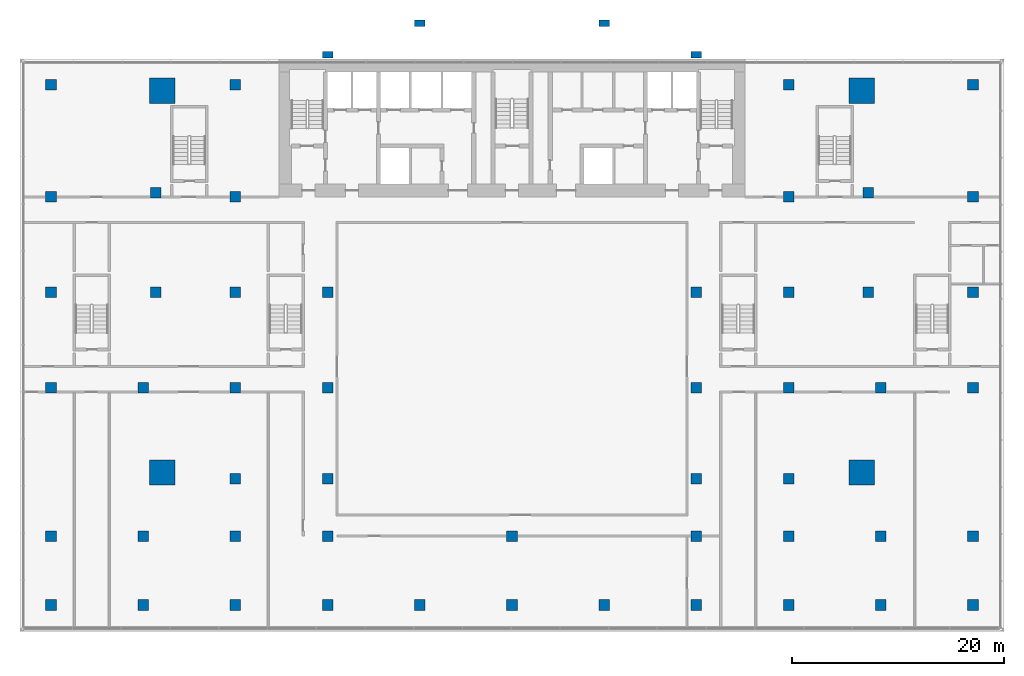
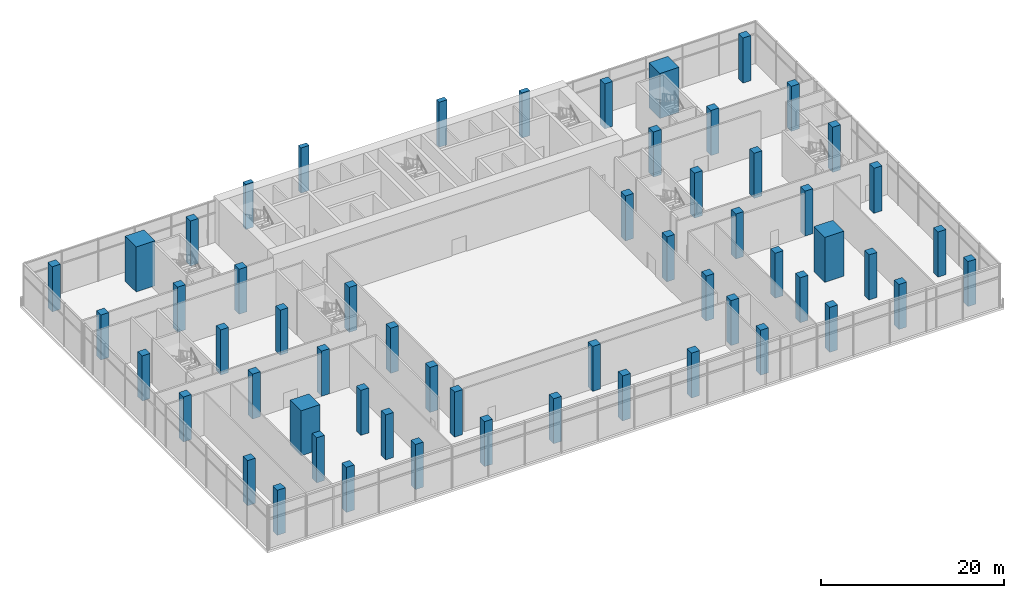
# One storey, part 1 of 21: 58 columns.
"""IFC4 building model written with IfcOpenShell, lengths in metres."""

import ifcopenshell
import ifcopenshell.guid

model = None  # the IFC model being written
_history = None  # IfcOwnerHistory: only IFC2X3 demands one
_inside = {}  # id of a spatial element -> (the spatial element, [elements in it])
_under = {}  # id of a project, library or spatial element -> (it, [spatial elements below it])
_declared = {}  # id of a project -> (the project, [libraries it declares])
_typed = {}  # id of a type object -> (the type object, [elements of that type])
_made_of = {}  # id of a material, layer set ... -> (it, [elements and type objects made of it])


def new_model(schema):
    """Start an empty IFC model of exactly this schema.

    Asked for "IFC4X3", IfcOpenShell would pick the latest addendum, in which some entities
    have other attributes; the version numbers below select the first issue.
    IFC2X3 requires an IfcOwnerHistory on every rooted entity: one is made here for all.
    """
    global model, _history
    if schema == "IFC4X3":
        model = ifcopenshell.file(schema_version=(4, 3, 0, 0))
    else:
        model = ifcopenshell.file(schema=schema)
    _inside.clear()
    _under.clear()
    _declared.clear()
    _typed.clear()
    _made_of.clear()
    _history = None
    if model.schema == "IFC2X3":
        org = make("IfcOrganization", Name="unknown")
        user = make(
            "IfcPersonAndOrganization",
            ThePerson=make("IfcPerson", FamilyName="unknown"),
            TheOrganization=org,
        )
        app = make(
            "IfcApplication",
            ApplicationDeveloper=org,
            Version="unknown",
            ApplicationFullName="unknown",
            ApplicationIdentifier="unknown",
        )
        _history = make(
            "IfcOwnerHistory",
            OwningUser=user,
            OwningApplication=app,
            ChangeAction="ADDED",
            CreationDate=0,
        )
    return model


def make(cls, **values):
    """One entity of the class cls with the attributes given. An attribute that is None is left unset."""
    return model.create_entity(
        cls, **{name: value for name, value in values.items() if value is not None}
    )


def rooted(cls, **values):
    """An entity with a GlobalId (a new one), such as an element, a storey or a relation."""
    return make(cls, GlobalId=ifcopenshell.guid.new(), OwnerHistory=_history, **values)


def si_unit(unit_type, name, prefix=None):
    """IfcSIUnit, for example si_unit("LENGTHUNIT", "METRE", prefix="MILLI")."""
    return make("IfcSIUnit", UnitType=unit_type, Prefix=prefix, Name=name)


def assignment(units):
    """IfcUnitAssignment: the units of a project."""
    return None if units is None else make("IfcUnitAssignment", Units=units)


def point(xyz):
    """IfcCartesianPoint."""
    return None if xyz is None else make("IfcCartesianPoint", Coordinates=xyz)


def direction(xyz):
    """IfcDirection."""
    return None if xyz is None else make("IfcDirection", DirectionRatios=xyz)


def frame(location, z_axis=None, x_axis=None):
    """IfcAxis2Placement3D, a coordinate frame: its origin and axes. An axis left out is left unset."""
    return make(
        "IfcAxis2Placement3D",
        Location=point(location),
        Axis=direction(z_axis),
        RefDirection=direction(x_axis),
    )


def frame_2d(location, x_axis=None):
    """IfcAxis2Placement2D, a coordinate frame in the plane: its origin and x axis."""
    return make(
        "IfcAxis2Placement2D", Location=point(location), RefDirection=direction(x_axis)
    )


def origin():
    """The frame at (0, 0, 0) with its axes left unset."""
    return frame((0.0, 0.0, 0.0))


def origin_2d():
    """The frame at (0, 0) in the plane with its x axis left unset."""
    return frame_2d((0.0, 0.0))


def place(relative_to, where):
    """IfcLocalPlacement: puts the frame where relative to a parent placement (None: the world)."""
    return make(
        "IfcLocalPlacement", PlacementRelTo=relative_to, RelativePlacement=where
    )


def context(
    kind, dimensions, precision=None, world=None, true_north=None, identifier=None
):
    """IfcGeometricRepresentationContext, for example the 3D "Model" context."""
    return make(
        "IfcGeometricRepresentationContext",
        ContextIdentifier=identifier,
        ContextType=kind,
        CoordinateSpaceDimension=dimensions,
        Precision=precision,
        WorldCoordinateSystem=world,
        TrueNorth=true_north,
    )


def subcontext(parent, identifier, kind, view, scale=None):
    """IfcGeometricRepresentationSubContext, for example "Body" below "Model"."""
    return make(
        "IfcGeometricRepresentationSubContext",
        ContextIdentifier=identifier,
        ContextType=kind,
        ParentContext=parent,
        TargetScale=scale,
        TargetView=view,
    )


def project(units=None, contexts=None):
    """IfcProject with its units and contexts."""
    return rooted(
        "IfcProject",
        Name="project",
        RepresentationContexts=contexts,
        UnitsInContext=assignment(units),
    )


def spatial(cls, under=None, at=None, **own):
    """A site, building, storey or space (cls), placed at a placement, below another one or the project."""
    s = rooted(cls, ObjectPlacement=at, **own)
    if under is not None:
        _under.setdefault(under.id(), (under, []))[1].append(s)
    return s


def profile(cls, at=None, kind="AREA", **sizes):
    """A parametric profile (cls). Its sizes go by their IFC names, for example OverallWidth=200.0."""
    return make(cls, ProfileType=kind, Position=at, **sizes)


def rectangle(**sizes):
    """IfcRectangleProfileDef."""
    return profile("IfcRectangleProfileDef", **sizes)


def extrude(swept, where, along, depth):
    """IfcExtrudedAreaSolid: the profile swept, set in the frame where, extruded along a direction by depth."""
    return make(
        "IfcExtrudedAreaSolid",
        SweptArea=swept,
        Position=where,
        ExtrudedDirection=direction(along),
        Depth=depth,
    )


def shape(context_of_items, identifier, shape_type, items):
    """IfcShapeRepresentation: the items that make up one representation, for example the "Body"."""
    return make(
        "IfcShapeRepresentation",
        ContextOfItems=context_of_items,
        RepresentationIdentifier=identifier,
        RepresentationType=shape_type,
        Items=items,
    )


def material(Name=None, Category=None):
    """IfcMaterial."""
    return make("IfcMaterial", Name=Name, Category=Category)


def material_profile(
    of_material, cross_section, Name=None, Category=None, Priority=None
):
    """IfcMaterialProfile: a cross section and its material."""
    return make(
        "IfcMaterialProfile",
        Name=Name,
        Material=of_material,
        Profile=cross_section,
        Priority=Priority,
        Category=Category,
    )


def profile_set(profiles, Name=None, composite=None):
    """IfcMaterialProfileSet."""
    return make(
        "IfcMaterialProfileSet",
        Name=Name,
        MaterialProfiles=profiles,
        CompositeProfile=composite,
    )


def made_of(thing, what):
    """Note that an element or type object is made of a material, layer set ...; save() writes the relation."""
    if what is not None:
        _made_of.setdefault(what.id(), (what, []))[1].append(thing)
    return thing


def type_object(cls, material=None, **own):
    """A type object (cls), such as IfcWallType, which elements share."""
    return made_of(rooted(cls, **own), material)


def element(
    cls,
    number,
    at=None,
    inside=None,
    cuts=None,
    type_object=None,
    material=None,
    context=None,
    identifier="Body",
    shape_type=None,
    held_by="IfcProductDefinitionShape",
    body=None,
    shapes=None,
    **own,
):
    """One element of the class cls, such as IfcWall. Its Tag is "e" and its number.

    at: its placement. inside: the storey or other place that contains it. cuts: it is an
    opening in that element (IfcRelVoidsElement). A single representation is given by context,
    identifier, shape_type and body (its items); several are given by shapes. held_by: the class
    of the entity that holds the representations. save() writes the other relations.
    """
    e = rooted(cls, Tag="e%d" % number, ObjectPlacement=at, **own)
    if body is not None:
        shapes = [shape(context, identifier, shape_type, body)]
    if shapes is not None:
        e.Representation = make(held_by, Representations=shapes)
    if inside is not None:
        _inside.setdefault(inside.id(), (inside, []))[1].append(e)
    if cuts is not None:
        rooted(
            "IfcRelVoidsElement", RelatingBuildingElement=cuts, RelatedOpeningElement=e
        )
    if type_object is not None:
        _typed.setdefault(type_object.id(), (type_object, []))[1].append(e)
    return made_of(e, material)


def aggregate(whole, parts):
    """IfcRelAggregates: a whole, such as a stair, and the parts it consists of."""
    return rooted("IfcRelAggregates", RelatingObject=whole, RelatedObjects=parts)


def save(model, path):
    """Write the relations noted so far, then the file.

    IfcRelAggregates (storeys below a building ...), IfcRelContainedInSpatialStructure (elements
    in a storey), IfcRelDefinesByType, IfcRelAssociatesMaterial and IfcRelDeclares: one each for
    every whole, place, type object, material and project.
    """
    for whole, parts in _under.values():
        aggregate(whole, parts)
    for where, things in _inside.values():
        rooted(
            "IfcRelContainedInSpatialStructure",
            RelatedElements=things,
            RelatingStructure=where,
        )
    for kind, things in _typed.values():
        rooted("IfcRelDefinesByType", RelatedObjects=things, RelatingType=kind)
    for what, things in _made_of.values():
        rooted("IfcRelAssociatesMaterial", RelatedObjects=things, RelatingMaterial=what)
    for by, libraries in _declared.values():
        rooted("IfcRelDeclares", RelatingContext=by, RelatedDefinitions=libraries)
    model.write(path)


model = new_model("IFC4")

# Units and contexts
model_context = context("Model", 3, precision=1e-05, world=origin(), true_north=direction((0.0, 1.0)))
body_context = subcontext(model_context, "Body", "Model", "MODEL_VIEW")
ifc_project = project(units=[si_unit("LENGTHUNIT", "METRE"), si_unit("AREAUNIT", "SQUARE_METRE"), si_unit("VOLUMEUNIT", "CUBIC_METRE"), si_unit("PLANEANGLEUNIT", "RADIAN"), si_unit("MASSUNIT", "GRAM", prefix="KILO")], contexts=[model_context])

# Site, building, storey
site_placement = place(None, origin())
site = spatial("IfcSite", under=ifc_project, at=site_placement, CompositionType="ELEMENT")
building_placement = place(site_placement, origin())
building = spatial("IfcBuilding", under=site, at=building_placement, Name="Bicima Exchange Tower", CompositionType="ELEMENT")
storey_placement = place(building_placement, frame((0.0, 0.0, 8.0)))
storey = spatial("IfcBuildingStorey", under=building, at=storey_placement, Name="L01", CompositionType="ELEMENT", Elevation=8.0)

# Columns
ifc_material = material(Name="Concrete C60/75", Category="concrete")
ifc_material_profile_1 = material_profile(ifc_material, rectangle(XDim=2.39990234375, YDim=2.39990234375, at=origin_2d()))
ifc_profile_set_1 = profile_set([ifc_material_profile_1], Name="Concrete C60/75")
column_type_1 = type_object("IfcColumnType", Name="Reinforced concrete mega column 2400 x 2400", PredefinedType="COLUMN", material=ifc_profile_set_1)
for number, where, z_axis, x_axis, name in (
    (1, (-33.0, -39.0, 0.0), (0.0, 0.0, 1.0), (1.0, 0.0, 0.0), "Mega column"),
    (2, (-33.0, -3.0, 0.0), (0.0, 0.0, 1.0), (1.0, 0.0, 0.0), "Mega column"),
    (3, (33.0, -39.0, 0.0), (0.0, 0.0, 1.0), (1.0, 0.0, 0.0), "Mega column"),
    (4, (33.0, -3.0, 0.0), (0.0, 0.0, 1.0), (1.0, 0.0, 0.0), "Mega column"),
):
    element("IfcColumn", number, at=place(storey_placement, frame(where, z_axis=z_axis, x_axis=x_axis)), inside=storey, type_object=column_type_1, Name=name, PredefinedType="COLUMN", context=body_context, shape_type="SweptSolid", body=[
        extrude(rectangle(XDim=2.39990234375, YDim=2.39990234375, at=origin_2d()), origin(), (0.0, 0.0, 1.0), 6.0),
    ])
ifc_material_profile_2 = material_profile(ifc_material, rectangle(XDim=1.0, YDim=1.0, at=origin_2d()))
ifc_profile_set_2 = profile_set([ifc_material_profile_2], Name="Concrete C60/75")
column_type_2 = type_object("IfcColumnType", Name="Reinforced concrete podium column 1000 x 1000", PredefinedType="COLUMN", material=ifc_profile_set_2)
for number, where, z_axis, x_axis, name in (
    (5, (-26.10009765625, -39.60009765625, 0.0), (0.0, 0.0, 1.0), (1.0, 0.0, 0.0), "Column"),
    (6, (-26.10009765625, -2.39990234375, 0.0), (0.0, 0.0, 1.0), (1.0, 0.0, 0.0), "Column"),
    (7, (-17.39990234375, -39.60009765625, 0.0), (0.0, 0.0, 1.0), (1.0, 0.0, 0.0), "Column"),
    (8, (17.39990234375, -39.60009765625, 0.0), (0.0, 0.0, 1.0), (1.0, 0.0, 0.0), "Column"),
    (9, (26.10009765625, -39.60009765625, 0.0), (0.0, 0.0, 1.0), (1.0, 0.0, 0.0), "Column"),
    (10, (26.10009765625, -2.39990234375, 0.0), (0.0, 0.0, 1.0), (1.0, 0.0, 0.0), "Column"),
    (11, (-33.60009765625, -12.60009765625, 0.0), (0.0, 0.0, 1.0), (1.0, 0.0, 0.0), "Column"),
    (12, (-33.60009765625, -22.0, 0.0), (0.0, 0.0, 1.0), (1.0, 0.0, 0.0), "Column"),
    (13, (33.60009765625, -12.60009765625, 0.0), (0.0, 0.0, 1.0), (1.0, 0.0, 0.0), "Column"),
    (14, (33.60009765625, -22.0, 0.0), (0.0, 0.0, 1.0), (1.0, 0.0, 0.0), "Column"),
    (15, (-26.10009765625, -22.0, 0.0), (0.0, 0.0, 1.0), (1.0, 0.0, 0.0), "Column"),
    (16, (-17.39990234375, -22.0, 0.0), (0.0, 0.0, 1.0), (1.0, 0.0, 0.0), "Column"),
    (17, (17.39990234375, -22.0, 0.0), (0.0, 0.0, 1.0), (1.0, 0.0, 0.0), "Column"),
    (18, (26.10009765625, -22.0, 0.0), (0.0, 0.0, 1.0), (1.0, 0.0, 0.0), "Column"),
    (19, (-43.5, -2.39990234375, 0.0), (0.0, 0.0, 1.0), (1.0, 0.0, 0.0), "Column"),
    (20, (-43.5, -13.0, 0.0), (0.0, 0.0, 1.0), (1.0, 0.0, 0.0), "Column"),
    (21, (-43.5, -22.0, 0.0), (0.0, 0.0, 1.0), (1.0, 0.0, 0.0), "Column"),
    (22, (-43.5, -31.0, 0.0), (0.0, 0.0, 1.0), (1.0, 0.0, 0.0), "Column"),
    (23, (-43.5, -45.0, 0.0), (0.0, 0.0, 1.0), (1.0, 0.0, 0.0), "Column"),
    (24, (-43.5, -51.5, 0.0), (0.0, 0.0, 1.0), (1.0, 0.0, 0.0), "Column"),
    (25, (-34.800048828125, -31.0, 0.0), (0.0, 0.0, 1.0), (1.0, 0.0, 0.0), "Column"),
    (26, (-34.800048828125, -45.0, 0.0), (0.0, 0.0, 1.0), (1.0, 0.0, 0.0), "Column"),
    (27, (-34.800048828125, -51.5, 0.0), (0.0, 0.0, 1.0), (1.0, 0.0, 0.0), "Column"),
    (28, (-26.10009765625, -13.0, 0.0), (0.0, 0.0, 1.0), (1.0, 0.0, 0.0), "Column"),
    (29, (-26.10009765625, -31.0, 0.0), (0.0, 0.0, 1.0), (1.0, 0.0, 0.0), "Column"),
    (30, (-26.10009765625, -45.0, 0.0), (0.0, 0.0, 1.0), (1.0, 0.0, 0.0), "Column"),
    (31, (-26.10009765625, -51.5, 0.0), (0.0, 0.0, 1.0), (1.0, 0.0, 0.0), "Column"),
    (32, (-17.39990234375, -31.0, 0.0), (0.0, 0.0, 1.0), (1.0, 0.0, 0.0), "Column"),
    (33, (-17.39990234375, -45.0, 0.0), (0.0, 0.0, 1.0), (1.0, 0.0, 0.0), "Column"),
    (34, (-17.39990234375, -51.5, 0.0), (0.0, 0.0, 1.0), (1.0, 0.0, 0.0), "Column"),
    (35, (-8.699951171875, -51.5, 0.0), (0.0, 0.0, 1.0), (1.0, 0.0, 0.0), "Column"),
    (36, (0.0, -45.0, 0.0), (0.0, 0.0, 1.0), (1.0, 0.0, 0.0), "Column"),
    (37, (0.0, -51.5, 0.0), (0.0, 0.0, 1.0), (1.0, 0.0, 0.0), "Column"),
    (38, (8.699951171875, -51.5, 0.0), (0.0, 0.0, 1.0), (1.0, 0.0, 0.0), "Column"),
    (39, (17.39990234375, -31.0, 0.0), (0.0, 0.0, 1.0), (1.0, 0.0, 0.0), "Column"),
    (40, (17.39990234375, -45.0, 0.0), (0.0, 0.0, 1.0), (1.0, 0.0, 0.0), "Column"),
    (41, (17.39990234375, -51.5, 0.0), (0.0, 0.0, 1.0), (1.0, 0.0, 0.0), "Column"),
    (42, (26.10009765625, -13.0, 0.0), (0.0, 0.0, 1.0), (1.0, 0.0, 0.0), "Column"),
    (43, (26.10009765625, -31.0, 0.0), (0.0, 0.0, 1.0), (1.0, 0.0, 0.0), "Column"),
    (44, (26.10009765625, -45.0, 0.0), (0.0, 0.0, 1.0), (1.0, 0.0, 0.0), "Column"),
    (45, (26.10009765625, -51.5, 0.0), (0.0, 0.0, 1.0), (1.0, 0.0, 0.0), "Column"),
    (46, (34.800048828125, -31.0, 0.0), (0.0, 0.0, 1.0), (1.0, 0.0, 0.0), "Column"),
    (47, (34.800048828125, -45.0, 0.0), (0.0, 0.0, 1.0), (1.0, 0.0, 0.0), "Column"),
    (48, (34.800048828125, -51.5, 0.0), (0.0, 0.0, 1.0), (1.0, 0.0, 0.0), "Column"),
    (49, (43.5, -2.39990234375, 0.0), (0.0, 0.0, 1.0), (1.0, 0.0, 0.0), "Column"),
    (50, (43.5, -13.0, 0.0), (0.0, 0.0, 1.0), (1.0, 0.0, 0.0), "Column"),
    (51, (43.5, -22.0, 0.0), (0.0, 0.0, 1.0), (1.0, 0.0, 0.0), "Column"),
    (52, (43.5, -31.0, 0.0), (0.0, 0.0, 1.0), (1.0, 0.0, 0.0), "Column"),
    (53, (43.5, -45.0, 0.0), (0.0, 0.0, 1.0), (1.0, 0.0, 0.0), "Column"),
    (54, (43.5, -51.5, 0.0), (0.0, 0.0, 1.0), (1.0, 0.0, 0.0), "Column"),
):
    element("IfcColumn", number, at=place(storey_placement, frame(where, z_axis=z_axis, x_axis=x_axis)), inside=storey, type_object=column_type_2, Name=name, PredefinedType="COLUMN", context=body_context, shape_type="SweptSolid", body=[
        extrude(rectangle(XDim=1.0, YDim=1.0, at=origin_2d()), origin(), (0.0, 0.0, 1.0), 6.0),
    ])
ifc_material_profile_3 = material_profile(ifc_material, rectangle(XDim=1.0, YDim=0.60009765625, at=origin_2d()))
ifc_profile_set_3 = profile_set([ifc_material_profile_3], Name="Concrete C60/75")
column_type_3 = type_object("IfcColumnType", Name="Reinforced concrete rear pilaster column 1000 x 600", PredefinedType="COLUMN", material=ifc_profile_set_3)
for number, where, z_axis, x_axis, name in (
    (55, (-8.699951171875, 3.39111328125, 0.0), (0.0, 0.0, 1.0), (1.0, 0.0, 0.0), "Column"),
    (56, (-17.39990234375, 0.39990234375, 0.0), (0.0, 0.0, 1.0), (1.0, 0.0, 0.0), "Column"),
    (57, (8.699951171875, 3.39111328125, 0.0), (0.0, 0.0, 1.0), (1.0, 0.0, 0.0), "Column"),
    (58, (17.39990234375, 0.39990234375, 0.0), (0.0, 0.0, 1.0), (1.0, 0.0, 0.0), "Column"),
):
    element("IfcColumn", number, at=place(storey_placement, frame(where, z_axis=z_axis, x_axis=x_axis)), inside=storey, type_object=column_type_3, Name=name, PredefinedType="COLUMN", context=body_context, shape_type="SweptSolid", body=[
        extrude(rectangle(XDim=1.0, YDim=0.60009765625, at=origin_2d()), origin(), (0.0, 0.0, 1.0), 6.0),
    ])

save(model, "model.ifc")
